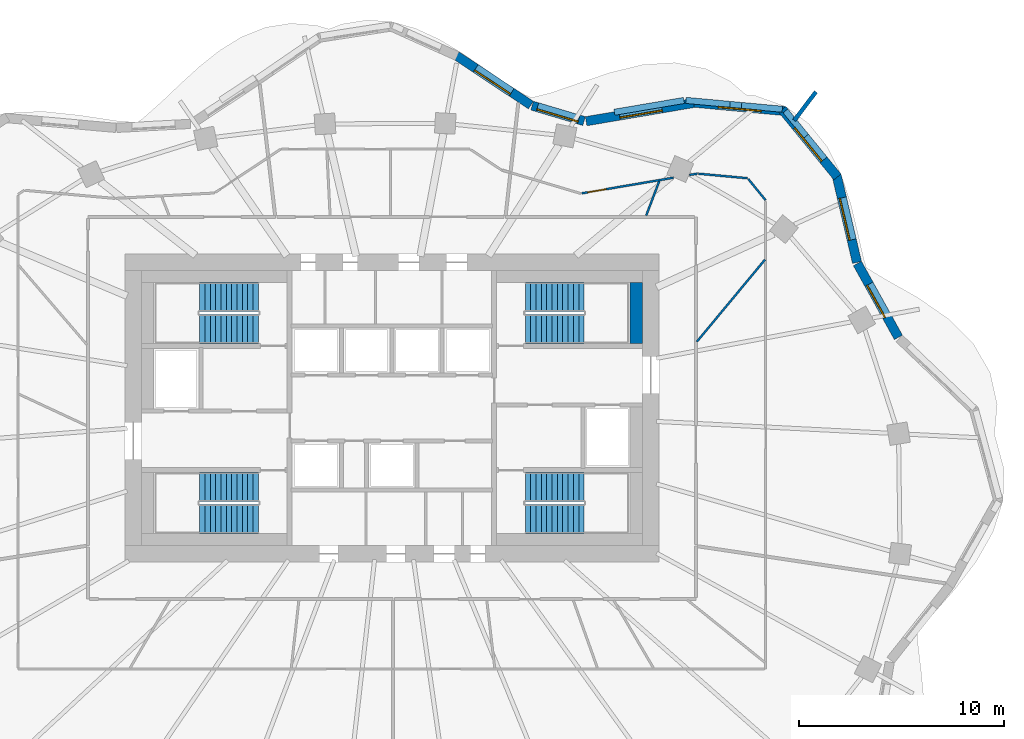
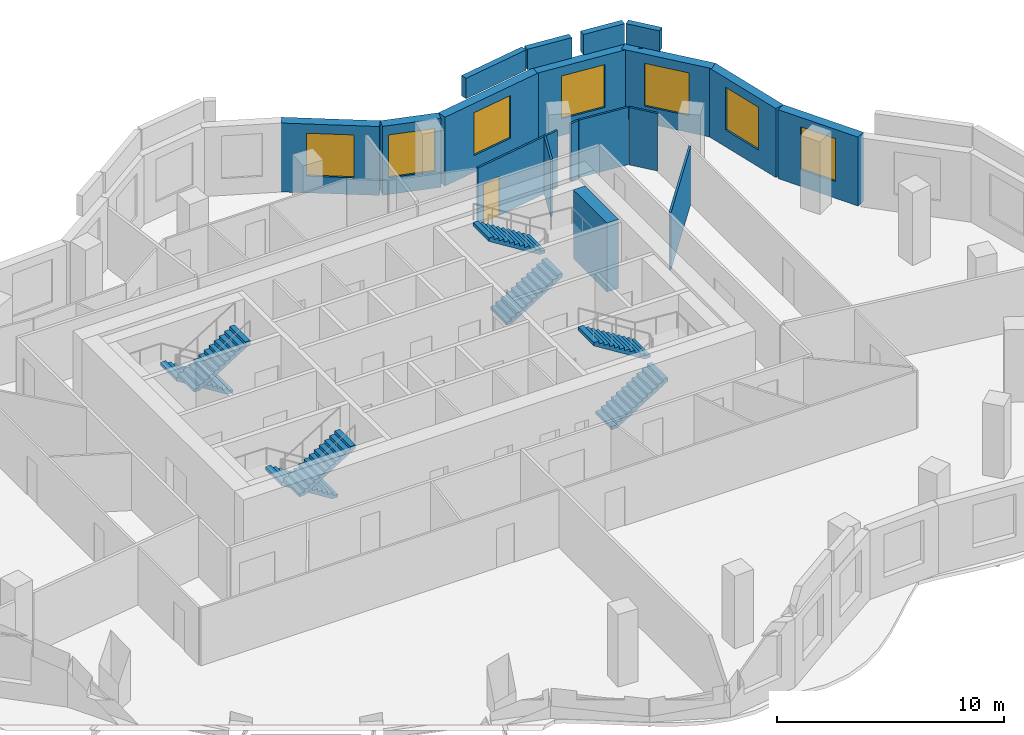
# One storey, part 8 of 9: 19 walls, 8 stair flights, 7 windows, 1 door, 8 openings, 4 elements without a shape of their own.
"""IFC4 building model written with IfcOpenShell, lengths in metres."""

from ifc_helpers import new_model, si_unit, direction, frame, frame_2d, origin, place, context, subcontext, project, spatial, polyline, rectangle, outline, extrude, material, layer, layer_set, type_object, element, fill, aggregate, save


model = new_model("IFC4")

# Units and contexts
model_context = context("Model", 3, precision=1e-05, world=origin(), true_north=direction((0.0, 1.0)))
body_context = subcontext(model_context, "Body", "Model", "MODEL_VIEW")
ifc_project = project(units=[si_unit("LENGTHUNIT", "METRE"), si_unit("AREAUNIT", "SQUARE_METRE"), si_unit("VOLUMEUNIT", "CUBIC_METRE"), si_unit("PLANEANGLEUNIT", "RADIAN"), si_unit("MASSUNIT", "GRAM", prefix="KILO")], contexts=[model_context])

# Site, building, storey
site_placement = place(None, origin())
site = spatial("IfcSite", under=ifc_project, at=site_placement, CompositionType="ELEMENT")
building_placement = place(site_placement, origin())
building = spatial("IfcBuilding", under=site, at=building_placement, Name="Rubra Terraces Tower", CompositionType="ELEMENT")
storey_placement = place(building_placement, frame((0.0, 0.0, 229.199951171875)))
storey = spatial("IfcBuildingStorey", under=building, at=storey_placement, Name="L56", CompositionType="ELEMENT", Elevation=229.199951171875)

# Wall, opening, window
ifc_material_1 = material(Name="Brick masonry red-brown", Category="masonry")
ifc_layer_1 = layer(ifc_material_1, 0.449951171875)
ifc_layer_set_1 = layer_set([ifc_layer_1], Name="Brick masonry red-brown")
wall_type_1 = type_object("IfcWallType", Name="Brick facade wall 450", PredefinedType="SOLIDWALL", material=ifc_layer_set_1)
wall_1_placement = place(storey_placement, frame((24.662109375, 7.93896484375, 0.0), z_axis=(0.0, 0.0, 1.0), x_axis=(-0.485153910721, 0.874428775208, 0.0)))
wall_1 = element("IfcWall", 1, at=wall_1_placement, inside=storey, type_object=wall_type_1, Name="Facade wall L56 bay 3", PredefinedType="SOLIDWALL", context=body_context, shape_type="SweptSolid", body=[
    extrude(rectangle(XDim=4.1123046875, YDim=0.449951171875, at=frame_2d((2.05615234375, 0.0))), origin(), (0.0, 0.0, 1.0), 3.699951171875),
])
opening_1_placement = place(wall_1_placement, frame((1.15625, 0.0, 0.89990234375)))
opening_1 = element("IfcOpeningElement", 2, at=opening_1_placement, cuts=wall_1, Name="Opening W6B", PredefinedType="OPENING", context=body_context, shape_type="SweptSolid", body=[
    extrude(rectangle(XDim=1.800048828125, YDim=2.300048828125, at=frame_2d((0.89990234375, 1.14990234375))), frame((0.0, 0.23486328125, 0.0), z_axis=(0.0, -1.0, 0.0), x_axis=(1.0, 0.0, 0.0)), (0.0, 0.0, 1.0), 0.469970703125),
])
ifc_material_2 = material(Name="Clear glass in aluminium frame", Category="aluminium")
window_type_1 = type_object("IfcWindowType", Name="Fixed deep-set window at wind fin tall storey 1800 x 2300", PartitioningType="SINGLE_PANEL", PredefinedType="WINDOW", material=ifc_material_2)
window_1_placement = place(opening_1_placement, origin())
window_1 = element("IfcWindow", 3, at=window_1_placement, inside=storey, type_object=window_type_1, Name="Window L56 bay 3", OverallHeight=2.300048828125, OverallWidth=1.800048828125, PartitioningType="SINGLE_PANEL", PredefinedType="WINDOW", context=body_context, shape_type="SweptSolid", body=[
    extrude(rectangle(XDim=1.800048828125, YDim=2.300048828125, at=frame_2d((0.89990234375, 1.14990234375))), frame((0.0, 0.135009765625, 0.0), z_axis=(0.0, -1.0, 0.0), x_axis=(1.0, 0.0, 0.0)), (0.0, 0.0, 1.0), 0.06005859375),
])
fill(opening_1, window_1)

wall_2_placement = place(storey_placement, frame((22.646484375, 11.5859375, 0.0), z_axis=(0.0, 0.0, 1.0), x_axis=(-0.227925124198, 0.973678662475, 0.0)))
wall_2 = element("IfcWall", 4, at=wall_2_placement, inside=storey, type_object=wall_type_1, Name="Facade wall L56 bay 4", PredefinedType="SOLIDWALL", context=body_context, shape_type="SweptSolid", body=[
    extrude(rectangle(XDim=4.360595703125, YDim=0.449951171875, at=frame_2d((2.18017578125, 0.0))), origin(), (0.0, 0.0, 1.0), 3.699951171875),
])
opening_2_placement = place(wall_2_placement, frame((1.13037109375, 0.0, 0.89990234375)))
opening_2 = element("IfcOpeningElement", 5, at=opening_2_placement, cuts=wall_2, Name="Opening W1B", PredefinedType="OPENING", context=body_context, shape_type="SweptSolid", body=[
    extrude(rectangle(XDim=2.10009765625, YDim=2.300048828125, at=frame_2d((1.050048828125, 1.14990234375))), frame((0.0, 0.23486328125, 0.0), z_axis=(0.0, -1.0, 0.0), x_axis=(1.0, 0.0, 0.0)), (0.0, 0.0, 1.0), 0.469970703125),
])
window_type_2 = type_object("IfcWindowType", Name="Fixed deep-set window tall storey 2100 x 2300", PartitioningType="SINGLE_PANEL", PredefinedType="WINDOW", material=ifc_material_2)
window_2_placement = place(opening_2_placement, origin())
window_2 = element("IfcWindow", 6, at=window_2_placement, inside=storey, type_object=window_type_2, Name="Window L56 bay 4", OverallHeight=2.300048828125, OverallWidth=2.10009765625, PartitioningType="SINGLE_PANEL", PredefinedType="WINDOW", context=body_context, shape_type="SweptSolid", body=[
    extrude(rectangle(XDim=2.10009765625, YDim=2.300048828125, at=frame_2d((1.050048828125, 1.14990234375))), frame((0.0, 0.135009765625, 0.0), z_axis=(0.0, -1.0, 0.0), x_axis=(1.0, 0.0, 0.0)), (0.0, 0.0, 1.0), 0.06005859375),
])
fill(opening_2, window_2)

wall_3_placement = place(storey_placement, frame((21.69580078125, 15.74755859375, 0.0), z_axis=(0.0, 0.0, 1.0), x_axis=(-0.632968710519, 0.774177377288, 0.0)))
wall_3 = element("IfcWall", 7, at=wall_3_placement, inside=storey, type_object=wall_type_1, Name="Facade wall L56 bay 5", PredefinedType="SOLIDWALL", context=body_context, shape_type="SweptSolid", body=[
    extrude(rectangle(XDim=4.249755859375, YDim=0.449951171875, at=frame_2d((2.125, 0.0))), origin(), (0.0, 0.0, 1.0), 3.699951171875),
])
opening_3_placement = place(wall_3_placement, frame((1.074951171875, 0.0, 0.89990234375)))
opening_3 = element("IfcOpeningElement", 8, at=opening_3_placement, cuts=wall_3, Name="Opening W1B", PredefinedType="OPENING", context=body_context, shape_type="SweptSolid", body=[
    extrude(rectangle(XDim=2.10009765625, YDim=2.300048828125, at=frame_2d((1.050048828125, 1.14990234375))), frame((0.0, 0.23486328125, 0.0), z_axis=(0.0, -1.0, 0.0), x_axis=(1.0, 0.0, 0.0)), (0.0, 0.0, 1.0), 0.469970703125),
])
window_3_placement = place(opening_3_placement, origin())
window_3 = element("IfcWindow", 9, at=window_3_placement, inside=storey, type_object=window_type_2, Name="Window L56 bay 5", OverallHeight=2.300048828125, OverallWidth=2.10009765625, PartitioningType="SINGLE_PANEL", PredefinedType="WINDOW", context=body_context, shape_type="SweptSolid", body=[
    extrude(rectangle(XDim=2.10009765625, YDim=2.300048828125, at=frame_2d((1.050048828125, 1.14990234375))), frame((0.0, 0.135009765625, 0.0), z_axis=(0.0, -1.0, 0.0), x_axis=(1.0, 0.0, 0.0)), (0.0, 0.0, 1.0), 0.06005859375),
])
fill(opening_3, window_3)

wall_4_placement = place(storey_placement, frame((19.1591796875, 18.955810546875, 0.0), z_axis=(0.0, 0.0, 1.0), x_axis=(-0.995777399421, 0.091800712424, 0.0)))
wall_4 = element("IfcWall", 10, at=wall_4_placement, inside=storey, type_object=wall_type_1, Name="Facade wall L56 bay 6", PredefinedType="SOLIDWALL", context=body_context, shape_type="SweptSolid", body=[
    extrude(rectangle(XDim=4.45458984375, YDim=0.449951171875, at=frame_2d((2.227294921875, 0.0))), origin(), (0.0, 0.0, 1.0), 3.699951171875),
])
opening_4_placement = place(wall_4_placement, frame((1.177490234375, 0.0, 0.89990234375)))
opening_4 = element("IfcOpeningElement", 11, at=opening_4_placement, cuts=wall_4, Name="Opening W1B", PredefinedType="OPENING", context=body_context, shape_type="SweptSolid", body=[
    extrude(rectangle(XDim=2.10009765625, YDim=2.300048828125, at=frame_2d((1.050048828125, 1.14990234375))), frame((0.0, 0.23486328125, 0.0), z_axis=(0.0, -1.0, 0.0), x_axis=(1.0, 0.0, 0.0)), (0.0, 0.0, 1.0), 0.469970703125),
])
window_4_placement = place(opening_4_placement, origin())
window_4 = element("IfcWindow", 12, at=window_4_placement, inside=storey, type_object=window_type_2, Name="Window L56 bay 6", OverallHeight=2.300048828125, OverallWidth=2.10009765625, PartitioningType="SINGLE_PANEL", PredefinedType="WINDOW", context=body_context, shape_type="SweptSolid", body=[
    extrude(rectangle(XDim=2.10009765625, YDim=2.300048828125, at=frame_2d((1.050048828125, 1.14990234375))), frame((0.0, 0.135009765625, 0.0), z_axis=(0.0, -1.0, 0.0), x_axis=(1.0, 0.0, 0.0)), (0.0, 0.0, 1.0), 0.06005859375),
])
fill(opening_4, window_4)

wall_5_placement = place(storey_placement, frame((14.78173828125, 19.366943359375, 0.0), z_axis=(0.0, 0.0, 1.0), x_axis=(-0.98585584667, -0.167595493934, 0.0)))
wall_5 = element("IfcWall", 13, at=wall_5_placement, inside=storey, type_object=wall_type_1, Name="Facade wall L56 bay 7", PredefinedType="SOLIDWALL", context=body_context, shape_type="SweptSolid", body=[
    extrude(rectangle(XDim=5.398681640625, YDim=0.449951171875, at=frame_2d((2.69921875, 0.0))), origin(), (0.0, 0.0, 1.0), 3.699951171875),
])
opening_5_placement = place(wall_5_placement, frame((1.6494140625, 0.0, 0.89990234375)))
opening_5 = element("IfcOpeningElement", 14, at=opening_5_placement, cuts=wall_5, Name="Opening W1B", PredefinedType="OPENING", context=body_context, shape_type="SweptSolid", body=[
    extrude(rectangle(XDim=2.10009765625, YDim=2.300048828125, at=frame_2d((1.050048828125, 1.14990234375))), frame((0.0, 0.23486328125, 0.0), z_axis=(0.0, -1.0, 0.0), x_axis=(1.0, 0.0, 0.0)), (0.0, 0.0, 1.0), 0.469970703125),
])
window_5_placement = place(opening_5_placement, origin())
window_5 = element("IfcWindow", 15, at=window_5_placement, inside=storey, type_object=window_type_2, Name="Window L56 bay 7", OverallHeight=2.300048828125, OverallWidth=2.10009765625, PartitioningType="SINGLE_PANEL", PredefinedType="WINDOW", context=body_context, shape_type="SweptSolid", body=[
    extrude(rectangle(XDim=2.10009765625, YDim=2.300048828125, at=frame_2d((1.050048828125, 1.14990234375))), frame((0.0, 0.135009765625, 0.0), z_axis=(0.0, -1.0, 0.0), x_axis=(1.0, 0.0, 0.0)), (0.0, 0.0, 1.0), 0.06005859375),
])
fill(opening_5, window_5)

wall_6_placement = place(storey_placement, frame((9.357421875, 18.468505859375, 0.0), z_axis=(0.0, 0.0, 1.0), x_axis=(-0.958524054629, 0.285011643091, 0.0)))
wall_6 = element("IfcWall", 16, at=wall_6_placement, inside=storey, type_object=wall_type_1, Name="Facade wall L56 bay 8", PredefinedType="SOLIDWALL", context=body_context, shape_type="SweptSolid", body=[
    extrude(rectangle(XDim=2.637451171875, YDim=0.449951171875, at=frame_2d((1.31884765625, 0.0))), origin(), (0.0, 0.0, 1.0), 3.699951171875),
])
opening_6_placement = place(wall_6_placement, frame((0.268798828125, 0.0, 0.89990234375)))
opening_6 = element("IfcOpeningElement", 17, at=opening_6_placement, cuts=wall_6, Name="Opening W1B", PredefinedType="OPENING", context=body_context, shape_type="SweptSolid", body=[
    extrude(rectangle(XDim=2.10009765625, YDim=2.300048828125, at=frame_2d((1.050048828125, 1.14990234375))), frame((0.0, 0.23486328125, 0.0), z_axis=(0.0, -1.0, 0.0), x_axis=(1.0, 0.0, 0.0)), (0.0, 0.0, 1.0), 0.469970703125),
])
window_6_placement = place(opening_6_placement, origin())
window_6 = element("IfcWindow", 18, at=window_6_placement, inside=storey, type_object=window_type_2, Name="Window L56 bay 8", OverallHeight=2.300048828125, OverallWidth=2.10009765625, PartitioningType="SINGLE_PANEL", PredefinedType="WINDOW", context=body_context, shape_type="SweptSolid", body=[
    extrude(rectangle(XDim=2.10009765625, YDim=2.300048828125, at=frame_2d((1.050048828125, 1.14990234375))), frame((0.0, 0.135009765625, 0.0), z_axis=(0.0, -1.0, 0.0), x_axis=(1.0, 0.0, 0.0)), (0.0, 0.0, 1.0), 0.06005859375),
])
fill(opening_6, window_6)

wall_7_placement = place(storey_placement, frame((6.76904296875, 19.248291015625, 0.0), z_axis=(0.0, 0.0, 1.0), x_axis=(-0.832973379274, 0.553313066375, 0.0)))
wall_7 = element("IfcWall", 19, at=wall_7_placement, inside=storey, type_object=wall_type_1, Name="Facade wall L56 bay 9", PredefinedType="SOLIDWALL", context=body_context, shape_type="SweptSolid", body=[
    extrude(rectangle(XDim=4.348388671875, YDim=0.449951171875, at=frame_2d((2.17431640625, 0.0))), origin(), (0.0, 0.0, 1.0), 3.699951171875),
])
opening_7_placement = place(wall_7_placement, frame((1.1240234375, 0.0, 0.89990234375)))
opening_7 = element("IfcOpeningElement", 20, at=opening_7_placement, cuts=wall_7, Name="Opening W1B", PredefinedType="OPENING", context=body_context, shape_type="SweptSolid", body=[
    extrude(rectangle(XDim=2.10009765625, YDim=2.300048828125, at=frame_2d((1.050048828125, 1.14990234375))), frame((0.0, 0.23486328125, 0.0), z_axis=(0.0, -1.0, 0.0), x_axis=(1.0, 0.0, 0.0)), (0.0, 0.0, 1.0), 0.469970703125),
])
window_7_placement = place(opening_7_placement, origin())
window_7 = element("IfcWindow", 21, at=window_7_placement, inside=storey, type_object=window_type_2, Name="Window L56 bay 9", OverallHeight=2.300048828125, OverallWidth=2.10009765625, PartitioningType="SINGLE_PANEL", PredefinedType="WINDOW", context=body_context, shape_type="SweptSolid", body=[
    extrude(rectangle(XDim=2.10009765625, YDim=2.300048828125, at=frame_2d((1.050048828125, 1.14990234375))), frame((0.0, 0.135009765625, 0.0), z_axis=(0.0, -1.0, 0.0), x_axis=(1.0, 0.0, 0.0)), (0.0, 0.0, 1.0), 0.06005859375),
])
fill(opening_7, window_7)

# Walls
ifc_layer_2 = layer(ifc_material_1, 0.300048828125)
ifc_layer_set_2 = layer_set([ifc_layer_2], Name="Brick masonry red-brown")
wall_type_2 = type_object("IfcWallType", Name="Brick parapet 300", PredefinedType="PARAPET", material=ifc_layer_set_2)
wall_8_placement = place(storey_placement, frame((20.16845703125, 17.734130859375, 3.900146484375), z_axis=(0.0, 0.0, 1.0), x_axis=(-0.632995189145, 0.774155727564, 0.0)))
element("IfcWall", 22, at=wall_8_placement, inside=storey, type_object=wall_type_2, Name="Parapet L56 bay 5", PredefinedType="PARAPET", context=body_context, shape_type="SweptSolid", body=[
    extrude(rectangle(XDim=1.58935546875, YDim=0.300048828125, at=frame_2d((0.794677734375, 0.0))), origin(), (0.0, 0.0, 1.0), 1.099853515625),
])
wall_9_placement = place(storey_placement, frame((19.01123046875, 19.044921875, 3.900146484375), z_axis=(0.0, 0.0, 1.0), x_axis=(-0.995779953678, 0.09177300176, 0.0)))
element("IfcWall", 23, at=wall_9_placement, inside=storey, type_object=wall_type_2, Name="Parapet L56 bay 6", PredefinedType="PARAPET", context=body_context, shape_type="SweptSolid", body=[
    extrude(rectangle(XDim=1.992431640625, YDim=0.300048828125, at=frame_2d((0.99609375, 0.0))), origin(), (0.0, 0.0, 1.0), 1.099853515625),
])
wall_10_placement = place(storey_placement, frame((16.461669921875, 19.27978515625, 3.900146484375), z_axis=(0.0, 0.0, 1.0), x_axis=(-0.995778015376, 0.091794030816, 0.0)))
element("IfcWall", 24, at=wall_10_placement, inside=storey, type_object=wall_type_2, Name="Parapet L56 bay 6.2", PredefinedType="PARAPET", context=body_context, shape_type="SweptSolid", body=[
    extrude(rectangle(XDim=2.151611328125, YDim=0.300048828125, at=frame_2d((1.07568359375, 0.0))), origin(), (0.0, 0.0, 1.0), 1.099853515625),
])
wall_11_placement = place(storey_placement, frame((14.220947265625, 19.473388671875, 3.900146484375), z_axis=(0.0, 0.0, 1.0), x_axis=(-0.985864880964, -0.167542342353, 0.0)))
element("IfcWall", 25, at=wall_11_placement, inside=storey, type_object=wall_type_2, Name="Parapet L56 bay 7", PredefinedType="PARAPET", context=body_context, shape_type="SweptSolid", body=[
    extrude(rectangle(XDim=3.4375, YDim=0.300048828125, at=frame_2d((1.71875, 0.0))), origin(), (0.0, 0.0, 1.0), 1.099853515625),
])
ifc_layer_3 = layer(ifc_material_1, 0.199951171875)
ifc_layer_set_3 = layer_set([ifc_layer_3], Name="Brick masonry red-brown")
wall_type_3 = type_object("IfcWallType", Name="Brick wind fin 200", PredefinedType="SOLIDWALL", material=ifc_layer_set_3)
wall_12_placement = place(storey_placement, frame((19.591064453125, 18.498046875, 0.0), z_axis=(0.0, 0.0, 1.0), x_axis=(0.603387525063, 0.797448114048, 0.0)))
element("IfcWall", 26, at=wall_12_placement, inside=storey, type_object=wall_type_3, Name="Wind fin L56 3", PredefinedType="SOLIDWALL", context=body_context, shape_type="SweptSolid", body=[
    extrude(rectangle(XDim=1.75, YDim=0.199951171875, at=frame_2d((0.875, 0.0))), origin(), (0.0, 0.0, 1.0), 3.699951171875),
])
ifc_material_3 = material(Name="Concrete C40", Category="concrete")
ifc_layer_4 = layer(ifc_material_3, 0.60009765625)
ifc_layer_set_4 = layer_set([ifc_layer_4], Name="Concrete C40")
wall_type_4 = type_object("IfcWallType", Name="Core lining wall 600 concrete", PredefinedType="SOLIDWALL", material=ifc_layer_set_4)
wall_13_placement = place(storey_placement, frame((11.89990234375, 10.60009765625, 0.0), z_axis=(0.0, 0.0, 1.0), x_axis=(0.0, -1.0, 0.0)))
element("IfcWall", 27, at=wall_13_placement, inside=storey, type_object=wall_type_4, Name="CORE LINING WALL L56", PredefinedType="SOLIDWALL", context=body_context, shape_type="SweptSolid", body=[
    extrude(rectangle(XDim=2.9501953125, YDim=0.60009765625, at=frame_2d((1.47509765625, 0.0))), origin(), (0.0, 0.0, 1.0), 3.699951171875),
])

# Wall, opening, door
ifc_material_4 = material(Name="Plasterboard on steel stud", Category="steel")
ifc_layer_5 = layer(ifc_material_4, 0.10009765625)
ifc_layer_set_5 = layer_set([ifc_layer_5], Name="Plasterboard on steel stud")
wall_type_5 = type_object("IfcWallType", Name="ROOM PARTITION 100", PredefinedType="PARTITIONING", material=ifc_layer_set_5)
wall_14_placement = place(storey_placement, frame((9.2451171875, 14.95166015625, 0.0), z_axis=(0.0, 0.0, 1.0), x_axis=(0.985863233989, 0.167552033319, 0.0)))
wall_14 = element("IfcWall", 28, at=wall_14_placement, inside=storey, type_object=wall_type_5, Name="PARTITION", PredefinedType="PARTITIONING", context=body_context, shape_type="SweptSolid", body=[
    extrude(rectangle(XDim=4.531494140625, YDim=0.10009765625, at=frame_2d((2.265625, 0.0))), origin(), (0.0, 0.0, 1.0), 3.083984375),
])
opening_8_placement = place(wall_14_placement, frame((0.300048828125, 0.0, 0.0)))
opening_8 = element("IfcOpeningElement", 29, at=opening_8_placement, cuts=wall_14, Name="Opening 56-119", PredefinedType="OPENING", context=body_context, shape_type="SweptSolid", body=[
    extrude(rectangle(XDim=0.89990234375, YDim=2.10009765625, at=frame_2d((0.449951171875, 1.050048828125))), frame((0.0, 0.06005859375, 0.0), z_axis=(0.0, -1.0, 0.0), x_axis=(1.0, 0.0, 0.0)), (0.0, 0.0, 1.0), 0.1201171875),
])
ifc_material_5 = material(Name="Painted timber door leaf", Category="wood")
door_type = type_object("IfcDoorType", Name="ROOM DOOR 900 X 2100", OperationType="SINGLE_SWING_LEFT", PredefinedType="DOOR", material=ifc_material_5)
door_placement = place(opening_8_placement, origin())
door = element("IfcDoor", 30, at=door_placement, inside=storey, type_object=door_type, Name="DOOR 56-119", OperationType="SINGLE_SWING_RIGHT", OverallHeight=2.10009765625, OverallWidth=0.89990234375, PredefinedType="DOOR", context=body_context, shape_type="SweptSolid", body=[
    extrude(rectangle(XDim=0.89990234375, YDim=2.10009765625, at=frame_2d((0.449951171875, 1.050048828125))), frame((0.0, 0.02490234375, 0.0), z_axis=(0.0, -1.0, 0.0), x_axis=(1.0, 0.0, 0.0)), (0.0, 0.0, 1.0), 0.050048828125),
])
fill(opening_8, door)

# Walls
wall_15_placement = place(storey_placement, frame((14.48193359375, 15.841796875, 0.0), z_axis=(0.0, 0.0, 1.0), x_axis=(0.985806446381, 0.167885825111, 0.0)))
element("IfcWall", 31, at=wall_15_placement, inside=storey, type_object=wall_type_5, Name="PARTITION", PredefinedType="PARTITIONING", context=body_context, shape_type="SweptSolid", body=[
    extrude(rectangle(XDim=0.40869140625, YDim=0.10009765625, at=frame_2d((0.204345703125, 0.0))), origin(), (0.0, 0.0, 1.0), 3.083984375),
])
wall_16_placement = place(storey_placement, frame((14.9345703125, 15.90576171875, 0.0), z_axis=(0.0, 0.0, 1.0), x_axis=(0.995783150827, -0.09173830459, 0.0)))
element("IfcWall", 32, at=wall_16_placement, inside=storey, type_object=wall_type_5, Name="PARTITION", PredefinedType="PARTITIONING", context=body_context, shape_type="SweptSolid", body=[
    extrude(rectangle(XDim=2.397705078125, YDim=0.10009765625, at=frame_2d((1.19873046875, 0.0))), origin(), (0.0, 0.0, 1.0), 3.083984375),
])
wall_17_placement = place(storey_placement, frame((17.35400390625, 15.64697265625, 0.0), z_axis=(0.0, 0.0, 1.0), x_axis=(0.632969165494, -0.774177005299, 0.0)))
element("IfcWall", 33, at=wall_17_placement, inside=storey, type_object=wall_type_5, Name="PARTITION", PredefinedType="PARTITIONING", context=body_context, shape_type="SweptSolid", body=[
    extrude(rectangle(XDim=1.33642578125, YDim=0.10009765625, at=frame_2d((0.668212890625, 0.0))), origin(), (0.0, 0.0, 1.0), 3.083984375),
])
wall_18_placement = place(storey_placement, frame((14.847900390625, 7.725341796875, 0.0), z_axis=(0.0, 0.0, 1.0), x_axis=(0.638751178804, 0.769413368468, 0.0)))
element("IfcWall", 34, at=wall_18_placement, inside=storey, type_object=wall_type_5, Name="PARTITION", PredefinedType="PARTITIONING", context=body_context, shape_type="SweptSolid", body=[
    extrude(rectangle(XDim=5.1982421875, YDim=0.10009765625, at=frame_2d((2.59912109375, 0.0))), origin(), (0.0, 0.0, 1.0), 3.083984375),
])
wall_19_placement = place(storey_placement, frame((12.382080078125, 13.8701171875, 0.0), z_axis=(0.0, 0.0, 1.0), x_axis=(0.355763716993, 0.934575934674, 0.0)))
element("IfcWall", 35, at=wall_19_placement, inside=storey, type_object=wall_type_5, Name="PARTITION", PredefinedType="PARTITIONING", context=body_context, shape_type="SweptSolid", body=[
    extrude(rectangle(XDim=1.79736328125, YDim=0.10009765625, at=frame_2d((0.898681640625, 0.0))), origin(), (0.0, 0.0, 1.0), 3.083984375),
])

# Stair, stair flights
stair_type = type_object("IfcStairType", Name="Core stair 1400", PredefinedType="HALF_TURN_STAIR", material=ifc_material_3)
stair_1_placement = place(storey_placement, origin())
stair_1 = element("IfcStair", 36, at=stair_1_placement, inside=storey, type_object=stair_type, Name="L56 Exit stair S1", PredefinedType="HALF_TURN_STAIR")
stair_flight_type = type_object("IfcStairFlightType", Name="Core stair flight 1400", PredefinedType="STRAIGHT", material=ifc_material_3)
stair_flight_1_placement = place(storey_placement, frame((-6.5, 0.64990234375, 0.0), z_axis=(0.0, 0.0, 1.0), x_axis=(-1.0, 0.0, 0.0)))
stair_flight_1 = element("IfcStairFlight", 37, at=stair_flight_1_placement, type_object=stair_flight_type, Name="S1 flight 1", NumberOfRisers=12, NumberOfTreads=11, PredefinedType="STRAIGHT", RiserHeight=0.1625, TreadLength=0.26, context=body_context, shape_type="SweptSolid", body=[
    extrude(outline(polyline([(0.0, 0.0), (0.0, 0.16259765625), (0.260009765625, 0.16259765625), (0.260009765625, 0.324951171875), (0.52001953125, 0.324951171875), (0.52001953125, 0.487548828125), (0.780029296875, 0.487548828125), (0.780029296875, 0.64990234375), (1.0400390625, 0.64990234375), (1.0400390625, 0.8125), (1.300048828125, 0.8125), (1.300048828125, 0.97509765625), (1.56005859375, 0.97509765625), (1.56005859375, 1.137451171875), (1.820068359375, 1.137451171875), (1.820068359375, 1.300048828125), (2.080078125, 1.300048828125), (2.080078125, 1.46240234375), (2.340087890625, 1.46240234375), (2.340087890625, 1.625), (2.60009765625, 1.625), (2.60009765625, 1.78759765625), (2.860107421875, 1.78759765625), (2.860107421875, 1.949951171875), (2.860107421875, 1.61083984375), (0.28271484375, 0.0), (0.0, 0.0)])), frame((0.0, 0.699951171875, 0.0), z_axis=(0.0, -1.0, 0.0), x_axis=(1.0, 0.0, 0.0)), (0.0, 0.0, 1.0), 1.39990234375),
])
stair_flight_2_placement = place(storey_placement, frame((-9.360107421875, -0.89990234375, 1.949951171875), z_axis=(0.0, 0.0, 1.0), x_axis=(1.0, 0.0, 0.0)))
stair_flight_2 = element("IfcStairFlight", 38, at=stair_flight_2_placement, type_object=stair_flight_type, Name="S1 flight 2", NumberOfRisers=12, NumberOfTreads=11, PredefinedType="STRAIGHT", RiserHeight=0.1625, TreadLength=0.26, context=body_context, shape_type="SweptSolid", body=[
    extrude(outline(polyline([(0.0, 0.0), (0.0, 0.16259765625), (0.260009765625, 0.16259765625), (0.260009765625, 0.324951171875), (0.52001953125, 0.324951171875), (0.52001953125, 0.487548828125), (0.780029296875, 0.487548828125), (0.780029296875, 0.64990234375), (1.0400390625, 0.64990234375), (1.0400390625, 0.8125), (1.300048828125, 0.8125), (1.300048828125, 0.97509765625), (1.56005859375, 0.97509765625), (1.56005859375, 1.137451171875), (1.820068359375, 1.137451171875), (1.820068359375, 1.300048828125), (2.080078125, 1.300048828125), (2.080078125, 1.46240234375), (2.340087890625, 1.46240234375), (2.340087890625, 1.625), (2.60009765625, 1.625), (2.60009765625, 1.78759765625), (2.860107421875, 1.78759765625), (2.860107421875, 1.949951171875), (2.860107421875, 1.61083984375), (0.28271484375, 0.0), (0.0, 0.0)])), frame((0.0, 0.699951171875, 0.0), z_axis=(0.0, -1.0, 0.0), x_axis=(1.0, 0.0, 0.0)), (0.0, 0.0, 1.0), 1.39990234375),
])
aggregate(stair_1, [stair_flight_1, stair_flight_2])

stair_2_placement = place(storey_placement, origin())
stair_2 = element("IfcStair", 39, at=stair_2_placement, inside=storey, type_object=stair_type, Name="L56 Exit stair S2", PredefinedType="HALF_TURN_STAIR")
stair_flight_3_placement = place(storey_placement, frame((-6.5, 9.89990234375, 0.0), z_axis=(0.0, 0.0, 1.0), x_axis=(-1.0, 0.0, 0.0)))
stair_flight_3 = element("IfcStairFlight", 40, at=stair_flight_3_placement, type_object=stair_flight_type, Name="S2 flight 1", NumberOfRisers=12, NumberOfTreads=11, PredefinedType="STRAIGHT", RiserHeight=0.1625, TreadLength=0.26, context=body_context, shape_type="SweptSolid", body=[
    extrude(outline(polyline([(0.0, 0.0), (0.0, 0.16259765625), (0.260009765625, 0.16259765625), (0.260009765625, 0.324951171875), (0.52001953125, 0.324951171875), (0.52001953125, 0.487548828125), (0.780029296875, 0.487548828125), (0.780029296875, 0.64990234375), (1.0400390625, 0.64990234375), (1.0400390625, 0.8125), (1.300048828125, 0.8125), (1.300048828125, 0.97509765625), (1.56005859375, 0.97509765625), (1.56005859375, 1.137451171875), (1.820068359375, 1.137451171875), (1.820068359375, 1.300048828125), (2.080078125, 1.300048828125), (2.080078125, 1.46240234375), (2.340087890625, 1.46240234375), (2.340087890625, 1.625), (2.60009765625, 1.625), (2.60009765625, 1.78759765625), (2.860107421875, 1.78759765625), (2.860107421875, 1.949951171875), (2.860107421875, 1.61083984375), (0.28271484375, 0.0), (0.0, 0.0)])), frame((0.0, 0.699951171875, 0.0), z_axis=(0.0, -1.0, 0.0), x_axis=(1.0, 0.0, 0.0)), (0.0, 0.0, 1.0), 1.39990234375),
])
stair_flight_4_placement = place(storey_placement, frame((-9.360107421875, 8.35009765625, 1.949951171875), z_axis=(0.0, 0.0, 1.0), x_axis=(1.0, 0.0, 0.0)))
stair_flight_4 = element("IfcStairFlight", 41, at=stair_flight_4_placement, type_object=stair_flight_type, Name="S2 flight 2", NumberOfRisers=12, NumberOfTreads=11, PredefinedType="STRAIGHT", RiserHeight=0.1625, TreadLength=0.26, context=body_context, shape_type="SweptSolid", body=[
    extrude(outline(polyline([(0.0, 0.0), (0.0, 0.16259765625), (0.260009765625, 0.16259765625), (0.260009765625, 0.324951171875), (0.52001953125, 0.324951171875), (0.52001953125, 0.487548828125), (0.780029296875, 0.487548828125), (0.780029296875, 0.64990234375), (1.0400390625, 0.64990234375), (1.0400390625, 0.8125), (1.300048828125, 0.8125), (1.300048828125, 0.97509765625), (1.56005859375, 0.97509765625), (1.56005859375, 1.137451171875), (1.820068359375, 1.137451171875), (1.820068359375, 1.300048828125), (2.080078125, 1.300048828125), (2.080078125, 1.46240234375), (2.340087890625, 1.46240234375), (2.340087890625, 1.625), (2.60009765625, 1.625), (2.60009765625, 1.78759765625), (2.860107421875, 1.78759765625), (2.860107421875, 1.949951171875), (2.860107421875, 1.61083984375), (0.28271484375, 0.0), (0.0, 0.0)])), frame((0.0, 0.699951171875, 0.0), z_axis=(0.0, -1.0, 0.0), x_axis=(1.0, 0.0, 0.0)), (0.0, 0.0, 1.0), 1.39990234375),
])
aggregate(stair_2, [stair_flight_3, stair_flight_4])

stair_3_placement = place(storey_placement, origin())
stair_3 = element("IfcStair", 42, at=stair_3_placement, inside=storey, type_object=stair_type, Name="L56 Exit stair S3", PredefinedType="HALF_TURN_STAIR")
stair_flight_5_placement = place(storey_placement, frame((6.5, 8.35009765625, 0.0), z_axis=(0.0, 0.0, 1.0), x_axis=(1.0, 0.0, 0.0)))
stair_flight_5 = element("IfcStairFlight", 43, at=stair_flight_5_placement, type_object=stair_flight_type, Name="S3 flight 1", NumberOfRisers=12, NumberOfTreads=11, PredefinedType="STRAIGHT", RiserHeight=0.1625, TreadLength=0.26, context=body_context, shape_type="SweptSolid", body=[
    extrude(outline(polyline([(0.0, 0.0), (0.0, 0.16259765625), (0.260009765625, 0.16259765625), (0.260009765625, 0.324951171875), (0.52001953125, 0.324951171875), (0.52001953125, 0.487548828125), (0.780029296875, 0.487548828125), (0.780029296875, 0.64990234375), (1.0400390625, 0.64990234375), (1.0400390625, 0.8125), (1.300048828125, 0.8125), (1.300048828125, 0.97509765625), (1.56005859375, 0.97509765625), (1.56005859375, 1.137451171875), (1.820068359375, 1.137451171875), (1.820068359375, 1.300048828125), (2.080078125, 1.300048828125), (2.080078125, 1.46240234375), (2.340087890625, 1.46240234375), (2.340087890625, 1.625), (2.60009765625, 1.625), (2.60009765625, 1.78759765625), (2.860107421875, 1.78759765625), (2.860107421875, 1.949951171875), (2.860107421875, 1.61083984375), (0.28271484375, 0.0), (0.0, 0.0)])), frame((0.0, 0.699951171875, 0.0), z_axis=(0.0, -1.0, 0.0), x_axis=(1.0, 0.0, 0.0)), (0.0, 0.0, 1.0), 1.39990234375),
])
stair_flight_6_placement = place(storey_placement, frame((9.360107421875, 9.89990234375, 1.949951171875), z_axis=(0.0, 0.0, 1.0), x_axis=(-1.0, 0.0, 0.0)))
stair_flight_6 = element("IfcStairFlight", 44, at=stair_flight_6_placement, type_object=stair_flight_type, Name="S3 flight 2", NumberOfRisers=12, NumberOfTreads=11, PredefinedType="STRAIGHT", RiserHeight=0.1625, TreadLength=0.26, context=body_context, shape_type="SweptSolid", body=[
    extrude(outline(polyline([(0.0, 0.0), (0.0, 0.16259765625), (0.260009765625, 0.16259765625), (0.260009765625, 0.324951171875), (0.52001953125, 0.324951171875), (0.52001953125, 0.487548828125), (0.780029296875, 0.487548828125), (0.780029296875, 0.64990234375), (1.0400390625, 0.64990234375), (1.0400390625, 0.8125), (1.300048828125, 0.8125), (1.300048828125, 0.97509765625), (1.56005859375, 0.97509765625), (1.56005859375, 1.137451171875), (1.820068359375, 1.137451171875), (1.820068359375, 1.300048828125), (2.080078125, 1.300048828125), (2.080078125, 1.46240234375), (2.340087890625, 1.46240234375), (2.340087890625, 1.625), (2.60009765625, 1.625), (2.60009765625, 1.78759765625), (2.860107421875, 1.78759765625), (2.860107421875, 1.949951171875), (2.860107421875, 1.61083984375), (0.28271484375, 0.0), (0.0, 0.0)])), frame((0.0, 0.699951171875, 0.0), z_axis=(0.0, -1.0, 0.0), x_axis=(1.0, 0.0, 0.0)), (0.0, 0.0, 1.0), 1.39990234375),
])
aggregate(stair_3, [stair_flight_5, stair_flight_6])

stair_4_placement = place(storey_placement, origin())
stair_4 = element("IfcStair", 45, at=stair_4_placement, inside=storey, type_object=stair_type, Name="L56 Exit stair S4", PredefinedType="HALF_TURN_STAIR")
stair_flight_7_placement = place(storey_placement, frame((6.5, -0.89990234375, 0.0), z_axis=(0.0, 0.0, 1.0), x_axis=(1.0, 0.0, 0.0)))
stair_flight_7 = element("IfcStairFlight", 46, at=stair_flight_7_placement, type_object=stair_flight_type, Name="S4 flight 1", NumberOfRisers=12, NumberOfTreads=11, PredefinedType="STRAIGHT", RiserHeight=0.1625, TreadLength=0.26, context=body_context, shape_type="SweptSolid", body=[
    extrude(outline(polyline([(0.0, 0.0), (0.0, 0.16259765625), (0.260009765625, 0.16259765625), (0.260009765625, 0.324951171875), (0.52001953125, 0.324951171875), (0.52001953125, 0.487548828125), (0.780029296875, 0.487548828125), (0.780029296875, 0.64990234375), (1.0400390625, 0.64990234375), (1.0400390625, 0.8125), (1.300048828125, 0.8125), (1.300048828125, 0.97509765625), (1.56005859375, 0.97509765625), (1.56005859375, 1.137451171875), (1.820068359375, 1.137451171875), (1.820068359375, 1.300048828125), (2.080078125, 1.300048828125), (2.080078125, 1.46240234375), (2.340087890625, 1.46240234375), (2.340087890625, 1.625), (2.60009765625, 1.625), (2.60009765625, 1.78759765625), (2.860107421875, 1.78759765625), (2.860107421875, 1.949951171875), (2.860107421875, 1.61083984375), (0.28271484375, 0.0), (0.0, 0.0)])), frame((0.0, 0.699951171875, 0.0), z_axis=(0.0, -1.0, 0.0), x_axis=(1.0, 0.0, 0.0)), (0.0, 0.0, 1.0), 1.39990234375),
])
stair_flight_8_placement = place(storey_placement, frame((9.360107421875, 0.64990234375, 1.949951171875), z_axis=(0.0, 0.0, 1.0), x_axis=(-1.0, 0.0, 0.0)))
stair_flight_8 = element("IfcStairFlight", 47, at=stair_flight_8_placement, type_object=stair_flight_type, Name="S4 flight 2", NumberOfRisers=12, NumberOfTreads=11, PredefinedType="STRAIGHT", RiserHeight=0.1625, TreadLength=0.26, context=body_context, shape_type="SweptSolid", body=[
    extrude(outline(polyline([(0.0, 0.0), (0.0, 0.16259765625), (0.260009765625, 0.16259765625), (0.260009765625, 0.324951171875), (0.52001953125, 0.324951171875), (0.52001953125, 0.487548828125), (0.780029296875, 0.487548828125), (0.780029296875, 0.64990234375), (1.0400390625, 0.64990234375), (1.0400390625, 0.8125), (1.300048828125, 0.8125), (1.300048828125, 0.97509765625), (1.56005859375, 0.97509765625), (1.56005859375, 1.137451171875), (1.820068359375, 1.137451171875), (1.820068359375, 1.300048828125), (2.080078125, 1.300048828125), (2.080078125, 1.46240234375), (2.340087890625, 1.46240234375), (2.340087890625, 1.625), (2.60009765625, 1.625), (2.60009765625, 1.78759765625), (2.860107421875, 1.78759765625), (2.860107421875, 1.949951171875), (2.860107421875, 1.61083984375), (0.28271484375, 0.0), (0.0, 0.0)])), frame((0.0, 0.699951171875, 0.0), z_axis=(0.0, -1.0, 0.0), x_axis=(1.0, 0.0, 0.0)), (0.0, 0.0, 1.0), 1.39990234375),
])
aggregate(stair_4, [stair_flight_7, stair_flight_8])

save(model, "model.ifc")
